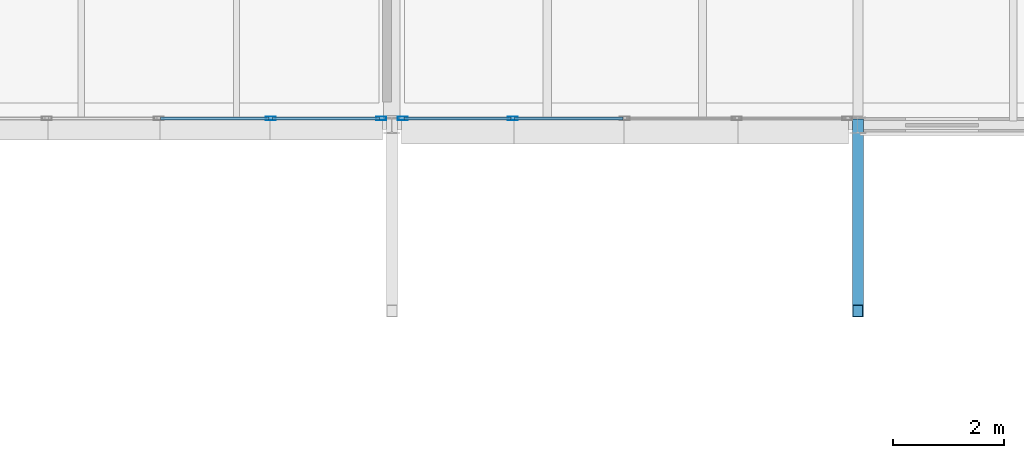
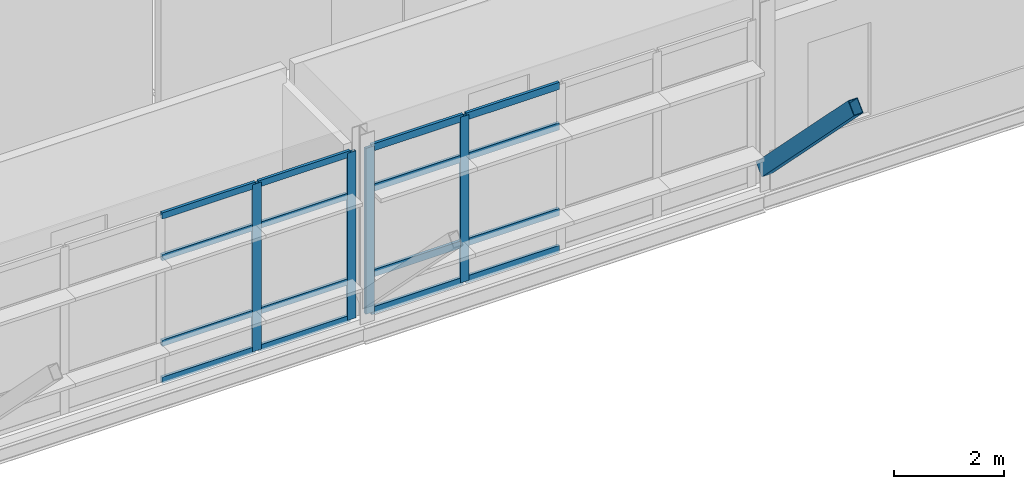
# One storey, part 8 of 35: 21 members, 2 elements without a shape of their own.
"""IFC4 building model written with IfcOpenShell, lengths in metres."""

from ifc_helpers import new_model, si_unit, direction, frame, origin, origin_2d, place, context, subcontext, project, spatial, hollow_rectangle, extrude, material, material_profile, profile_set, type_object, element, aggregate, save


model = new_model("IFC4")

# Units and contexts
model_context = context("Model", 3, precision=1e-05, world=origin(), true_north=direction((0.0, 1.0)))
body_context = subcontext(model_context, "Body", "Model", "MODEL_VIEW")
ifc_project = project(units=[si_unit("LENGTHUNIT", "METRE"), si_unit("AREAUNIT", "SQUARE_METRE"), si_unit("VOLUMEUNIT", "CUBIC_METRE"), si_unit("PLANEANGLEUNIT", "RADIAN"), si_unit("MASSUNIT", "GRAM", prefix="KILO")], contexts=[model_context])

# Site, building, storey
site_placement = place(None, origin())
site = spatial("IfcSite", under=ifc_project, at=site_placement, CompositionType="ELEMENT")
building_placement = place(site_placement, origin())
building = spatial("IfcBuilding", under=site, at=building_placement, Name="Mersafa Astral City Hall", CompositionType="ELEMENT")
storey_placement = place(building_placement, frame((0.0, 0.0, 30.14990234375)))
storey = spatial("IfcBuildingStorey", under=building, at=storey_placement, Name="L07", CompositionType="ELEMENT", Elevation=30.14990234375)

# Curtain wall, members
ifc_material_1 = material(Name="Anodised bronze aluminium framing", Category="aluminium")
curtain_wall_type_1 = type_object("IfcCurtainWallType", Name="ENV-CW-6", PredefinedType="USERDEFINED", material=ifc_material_1)
curtain_wall_1_placement = place(storey_placement, origin())
curtain_wall_1 = element("IfcCurtainWall", 1, at=curtain_wall_1_placement, inside=storey, type_object=curtain_wall_type_1, Name="L07 Unitised solar curtain wall 275", ObjectType="UNITISED CURTAIN WALL", PredefinedType="USERDEFINED")
ifc_material_profile_1 = material_profile(ifc_material_1, hollow_rectangle(XDim=0.06005859375, YDim=0.179931640625, WallThickness=0.00390625, at=origin_2d()), Name="RHS 60x180x4")
ifc_profile_set_1 = profile_set([ifc_material_profile_1], Name="Anodised bronze aluminium framing")
member_type_1 = type_object("IfcMemberType", Name="ENV-CW-MUL-1", PredefinedType="MULLION", material=ifc_profile_set_1)
member_1_placement = place(storey_placement, frame((123.819091796875, 109.320068359375, -0.001953125), z_axis=(0.0, 0.0, 1.0), x_axis=(0.0, 1.0, 0.0)))
member_1 = element("IfcMember", 2, at=member_1_placement, type_object=member_type_1, Name="CW-6 mullion 4", PredefinedType="MULLION", context=body_context, shape_type="SweptSolid", body=[
    extrude(hollow_rectangle(XDim=0.06005859375, YDim=0.179931640625, WallThickness=0.00390625, at=origin_2d()), origin(), (0.0, 0.0, 1.0), 3.708984375),
])
member_2_placement = place(storey_placement, frame((125.80810546875, 109.320068359375, -0.001953125), z_axis=(0.0, 0.0, 1.0), x_axis=(0.0, 1.0, 0.0)))
member_2 = element("IfcMember", 3, at=member_2_placement, type_object=member_type_1, Name="CW-6 mullion 5", PredefinedType="MULLION", context=body_context, shape_type="SweptSolid", body=[
    extrude(hollow_rectangle(XDim=0.06005859375, YDim=0.179931640625, WallThickness=0.00390625, at=origin_2d()), origin(), (0.0, 0.0, 1.0), 3.708984375),
])

curtain_wall_type_2 = type_object("IfcCurtainWallType", Name="ENV-CW-1", PredefinedType="USERDEFINED", material=ifc_material_1)
curtain_wall_2_placement = place(storey_placement, origin())
curtain_wall_2 = element("IfcCurtainWall", 4, at=curtain_wall_2_placement, inside=storey, type_object=curtain_wall_type_2, Name="L07 Unitised solar curtain wall 276", ObjectType="UNITISED CURTAIN WALL", PredefinedType="USERDEFINED")
member_3_placement = place(storey_placement, frame((126.19189453125, 109.320068359375, -0.001953125), z_axis=(0.0, 0.0, 1.0), x_axis=(0.0, 1.0, 0.0)))
member_3 = element("IfcMember", 5, at=member_3_placement, type_object=member_type_1, Name="CW-1 mullion 1", PredefinedType="MULLION", context=body_context, shape_type="SweptSolid", body=[
    extrude(hollow_rectangle(XDim=0.06005859375, YDim=0.179931640625, WallThickness=0.00390625, at=origin_2d()), origin(), (0.0, 0.0, 1.0), 3.678955078125),
])
member_4_placement = place(storey_placement, frame((128.180908203125, 109.320068359375, -0.001953125), z_axis=(0.0, 0.0, 1.0), x_axis=(0.0, 1.0, 0.0)))
member_4 = element("IfcMember", 6, at=member_4_placement, type_object=member_type_1, Name="CW-1 mullion 2", PredefinedType="MULLION", context=body_context, shape_type="SweptSolid", body=[
    extrude(hollow_rectangle(XDim=0.06005859375, YDim=0.179931640625, WallThickness=0.00390625, at=origin_2d()), origin(), (0.0, 0.0, 1.0), 3.678955078125),
])

# Member
ifc_material_profile_2 = material_profile(ifc_material_1, hollow_rectangle(XDim=0.06005859375, YDim=0.139892578125, WallThickness=0.00390625, at=origin_2d()), Name="RHS 60x140x4")
ifc_profile_set_2 = profile_set([ifc_material_profile_2], Name="Anodised bronze aluminium framing")
member_type_2 = type_object("IfcMemberType", Name="ENV-CW-TRN-1", PredefinedType="USERDEFINED", material=ifc_profile_set_2)
member_5_placement = place(storey_placement, frame((121.830078125, 109.320068359375, 0.028076171875), z_axis=(1.0, 0.0, 0.0), x_axis=(0.0, 1.0, 0.0)))
member_5 = element("IfcMember", 7, at=member_5_placement, type_object=member_type_2, Name="CW-6 transom 3.1", ObjectType="TRANSOM", PredefinedType="USERDEFINED", context=body_context, shape_type="SweptSolid", body=[
    extrude(hollow_rectangle(XDim=0.06005859375, YDim=0.139892578125, WallThickness=0.00390625, at=origin_2d()), origin(), (0.0, 0.0, 1.0), 1.958984375),
])

member_6_placement = place(storey_placement, frame((121.830078125, 109.320068359375, 0.85009765625), z_axis=(1.0, 0.0, 0.0), x_axis=(0.0, 1.0, 0.0)))
member_6 = element("IfcMember", 8, at=member_6_placement, type_object=member_type_2, Name="CW-6 transom 3.2", ObjectType="TRANSOM", PredefinedType="USERDEFINED", context=body_context, shape_type="SweptSolid", body=[
    extrude(hollow_rectangle(XDim=0.06005859375, YDim=0.139892578125, WallThickness=0.00390625, at=origin_2d()), origin(), (0.0, 0.0, 1.0), 1.958984375),
])

member_7_placement = place(storey_placement, frame((121.830078125, 109.320068359375, 2.75), z_axis=(1.0, 0.0, 0.0), x_axis=(0.0, 1.0, 0.0)))
member_7 = element("IfcMember", 9, at=member_7_placement, type_object=member_type_2, Name="CW-6 transom 3.3", ObjectType="TRANSOM", PredefinedType="USERDEFINED", context=body_context, shape_type="SweptSolid", body=[
    extrude(hollow_rectangle(XDim=0.06005859375, YDim=0.139892578125, WallThickness=0.00390625, at=origin_2d()), origin(), (0.0, 0.0, 1.0), 1.958984375),
])

member_8_placement = place(storey_placement, frame((121.830078125, 109.320068359375, 3.677001953125), z_axis=(1.0, 0.0, 0.0), x_axis=(0.0, 1.0, 0.0)))
member_8 = element("IfcMember", 10, at=member_8_placement, type_object=member_type_2, Name="CW-6 transom 3.4", ObjectType="TRANSOM", PredefinedType="USERDEFINED", context=body_context, shape_type="SweptSolid", body=[
    extrude(hollow_rectangle(XDim=0.06005859375, YDim=0.139892578125, WallThickness=0.00390625, at=origin_2d()), origin(), (0.0, 0.0, 1.0), 1.958984375),
])

member_9_placement = place(storey_placement, frame((123.84912109375, 109.320068359375, 0.028076171875), z_axis=(1.0, 0.0, 0.0), x_axis=(0.0, 1.0, 0.0)))
member_9 = element("IfcMember", 11, at=member_9_placement, type_object=member_type_2, Name="CW-6 transom 4.1", ObjectType="TRANSOM", PredefinedType="USERDEFINED", context=body_context, shape_type="SweptSolid", body=[
    extrude(hollow_rectangle(XDim=0.06005859375, YDim=0.139892578125, WallThickness=0.00390625, at=origin_2d()), origin(), (0.0, 0.0, 1.0), 1.928955078125),
])

member_10_placement = place(storey_placement, frame((123.84912109375, 109.320068359375, 0.85009765625), z_axis=(1.0, 0.0, 0.0), x_axis=(0.0, 1.0, 0.0)))
member_10 = element("IfcMember", 12, at=member_10_placement, type_object=member_type_2, Name="CW-6 transom 4.2", ObjectType="TRANSOM", PredefinedType="USERDEFINED", context=body_context, shape_type="SweptSolid", body=[
    extrude(hollow_rectangle(XDim=0.06005859375, YDim=0.139892578125, WallThickness=0.00390625, at=origin_2d()), origin(), (0.0, 0.0, 1.0), 1.928955078125),
])

member_11_placement = place(storey_placement, frame((123.84912109375, 109.320068359375, 2.75), z_axis=(1.0, 0.0, 0.0), x_axis=(0.0, 1.0, 0.0)))
member_11 = element("IfcMember", 13, at=member_11_placement, type_object=member_type_2, Name="CW-6 transom 4.3", ObjectType="TRANSOM", PredefinedType="USERDEFINED", context=body_context, shape_type="SweptSolid", body=[
    extrude(hollow_rectangle(XDim=0.06005859375, YDim=0.139892578125, WallThickness=0.00390625, at=origin_2d()), origin(), (0.0, 0.0, 1.0), 1.928955078125),
])

member_12_placement = place(storey_placement, frame((123.84912109375, 109.320068359375, 3.677001953125), z_axis=(1.0, 0.0, 0.0), x_axis=(0.0, 1.0, 0.0)))
member_12 = element("IfcMember", 14, at=member_12_placement, type_object=member_type_2, Name="CW-6 transom 4.4", ObjectType="TRANSOM", PredefinedType="USERDEFINED", context=body_context, shape_type="SweptSolid", body=[
    extrude(hollow_rectangle(XDim=0.06005859375, YDim=0.139892578125, WallThickness=0.00390625, at=origin_2d()), origin(), (0.0, 0.0, 1.0), 1.928955078125),
])

aggregate(curtain_wall_1, [member_1, member_2, member_5, member_6, member_7, member_8, member_9, member_10, member_11, member_12])

ifc_material_profile_3 = material_profile(ifc_material_1, hollow_rectangle(XDim=0.06005859375, YDim=0.159912109375, WallThickness=0.00390625, at=origin_2d()), Name="RHS 60x160x4")
ifc_profile_set_3 = profile_set([ifc_material_profile_3], Name="Anodised bronze aluminium framing")
member_type_3 = type_object("IfcMemberType", Name="ENV-CW-TRN-2", PredefinedType="USERDEFINED", material=ifc_profile_set_3)
member_13_placement = place(storey_placement, frame((126.221923828125, 109.320068359375, 0.028076171875), z_axis=(1.0, 0.0, 0.0), x_axis=(0.0, 1.0, 0.0)))
member_13 = element("IfcMember", 15, at=member_13_placement, type_object=member_type_3, Name="CW-1 transom 1.1", ObjectType="TRANSOM", PredefinedType="USERDEFINED", context=body_context, shape_type="SweptSolid", body=[
    extrude(hollow_rectangle(XDim=0.06005859375, YDim=0.159912109375, WallThickness=0.00390625, at=origin_2d()), origin(), (0.0, 0.0, 1.0), 1.928955078125),
])

member_14_placement = place(storey_placement, frame((126.221923828125, 109.320068359375, 0.85009765625), z_axis=(1.0, 0.0, 0.0), x_axis=(0.0, 1.0, 0.0)))
member_14 = element("IfcMember", 16, at=member_14_placement, type_object=member_type_3, Name="CW-1 transom 1.2", ObjectType="TRANSOM", PredefinedType="USERDEFINED", context=body_context, shape_type="SweptSolid", body=[
    extrude(hollow_rectangle(XDim=0.06005859375, YDim=0.159912109375, WallThickness=0.00390625, at=origin_2d()), origin(), (0.0, 0.0, 1.0), 1.928955078125),
])

member_15_placement = place(storey_placement, frame((126.221923828125, 109.320068359375, 2.75), z_axis=(1.0, 0.0, 0.0), x_axis=(0.0, 1.0, 0.0)))
member_15 = element("IfcMember", 17, at=member_15_placement, type_object=member_type_3, Name="CW-1 transom 1.3", ObjectType="TRANSOM", PredefinedType="USERDEFINED", context=body_context, shape_type="SweptSolid", body=[
    extrude(hollow_rectangle(XDim=0.06005859375, YDim=0.159912109375, WallThickness=0.00390625, at=origin_2d()), origin(), (0.0, 0.0, 1.0), 1.928955078125),
])

member_16_placement = place(storey_placement, frame((126.221923828125, 109.320068359375, 3.647216796875), z_axis=(1.0, 0.0, 0.0), x_axis=(0.0, 1.0, 0.0)))
member_16 = element("IfcMember", 18, at=member_16_placement, type_object=member_type_3, Name="CW-1 transom 1.4", ObjectType="TRANSOM", PredefinedType="USERDEFINED", context=body_context, shape_type="SweptSolid", body=[
    extrude(hollow_rectangle(XDim=0.06005859375, YDim=0.159912109375, WallThickness=0.00390625, at=origin_2d()), origin(), (0.0, 0.0, 1.0), 1.928955078125),
])

member_17_placement = place(storey_placement, frame((128.2109375, 109.320068359375, 0.028076171875), z_axis=(1.0, 0.0, 0.0), x_axis=(0.0, 1.0, 0.0)))
member_17 = element("IfcMember", 19, at=member_17_placement, type_object=member_type_3, Name="CW-1 transom 2.1", ObjectType="TRANSOM", PredefinedType="USERDEFINED", context=body_context, shape_type="SweptSolid", body=[
    extrude(hollow_rectangle(XDim=0.06005859375, YDim=0.159912109375, WallThickness=0.00390625, at=origin_2d()), origin(), (0.0, 0.0, 1.0), 1.958984375),
])

member_18_placement = place(storey_placement, frame((128.2109375, 109.320068359375, 0.85009765625), z_axis=(1.0, 0.0, 0.0), x_axis=(0.0, 1.0, 0.0)))
member_18 = element("IfcMember", 20, at=member_18_placement, type_object=member_type_3, Name="CW-1 transom 2.2", ObjectType="TRANSOM", PredefinedType="USERDEFINED", context=body_context, shape_type="SweptSolid", body=[
    extrude(hollow_rectangle(XDim=0.06005859375, YDim=0.159912109375, WallThickness=0.00390625, at=origin_2d()), origin(), (0.0, 0.0, 1.0), 1.958984375),
])

member_19_placement = place(storey_placement, frame((128.2109375, 109.320068359375, 2.75), z_axis=(1.0, 0.0, 0.0), x_axis=(0.0, 1.0, 0.0)))
member_19 = element("IfcMember", 21, at=member_19_placement, type_object=member_type_3, Name="CW-1 transom 2.3", ObjectType="TRANSOM", PredefinedType="USERDEFINED", context=body_context, shape_type="SweptSolid", body=[
    extrude(hollow_rectangle(XDim=0.06005859375, YDim=0.159912109375, WallThickness=0.00390625, at=origin_2d()), origin(), (0.0, 0.0, 1.0), 1.958984375),
])

member_20_placement = place(storey_placement, frame((128.2109375, 109.320068359375, 3.647216796875), z_axis=(1.0, 0.0, 0.0), x_axis=(0.0, 1.0, 0.0)))
member_20 = element("IfcMember", 22, at=member_20_placement, type_object=member_type_3, Name="CW-1 transom 2.4", ObjectType="TRANSOM", PredefinedType="USERDEFINED", context=body_context, shape_type="SweptSolid", body=[
    extrude(hollow_rectangle(XDim=0.06005859375, YDim=0.159912109375, WallThickness=0.00390625, at=origin_2d()), origin(), (0.0, 0.0, 1.0), 1.958984375),
])

aggregate(curtain_wall_2, [member_3, member_4, member_13, member_14, member_15, member_16, member_17, member_18, member_19, member_20])

ifc_material_2 = material(Name="Steel S355", Category="steel")
ifc_material_profile_4 = material_profile(ifc_material_2, hollow_rectangle(XDim=0.199951171875, YDim=0.300048828125, WallThickness=0.012451171875, at=origin_2d()), Name="RHS 200x300x12.5")
ifc_profile_set_4 = profile_set([ifc_material_profile_4], Name="Steel S355")
member_type_4 = type_object("IfcMemberType", Name="STR-MBR-STRUT-RHS200X300", PredefinedType="BRACE", material=ifc_profile_set_4)
member_21_placement = place(storey_placement, frame((134.39990234375, 109.199951171875, 0.400146484375), z_axis=(0.0, -0.702893642121, 0.711294965444), x_axis=(1.0, 0.0, 0.0)))
element("IfcMember", 23, at=member_21_placement, inside=storey, type_object=member_type_4, Name="L07 Raked cosmic eave strut ROOF-T6-V6 S-16", PredefinedType="BRACE", context=body_context, shape_type="SweptSolid", body=[
    extrude(hollow_rectangle(XDim=0.199951171875, YDim=0.300048828125, WallThickness=0.012451171875, at=origin_2d()), origin(), (0.0, 0.0, 1.0), 4.765869140625),
])

save(model, "model.ifc")
